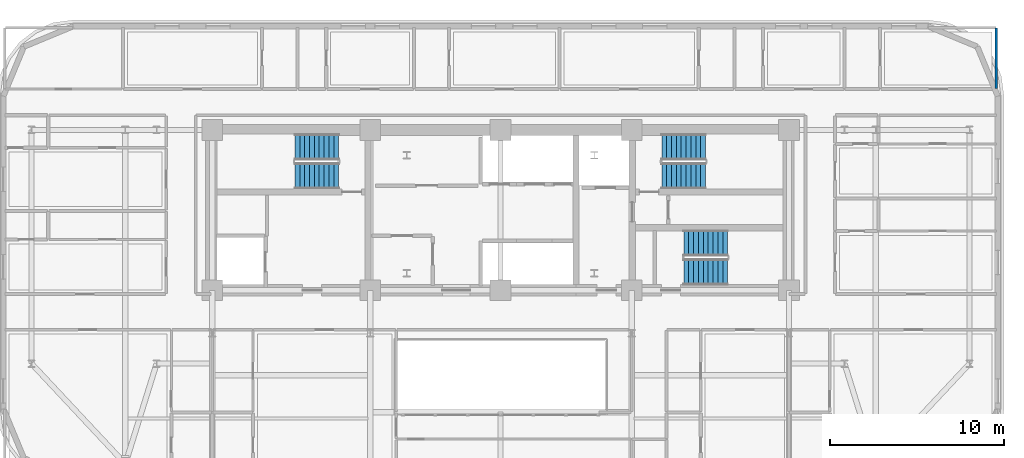
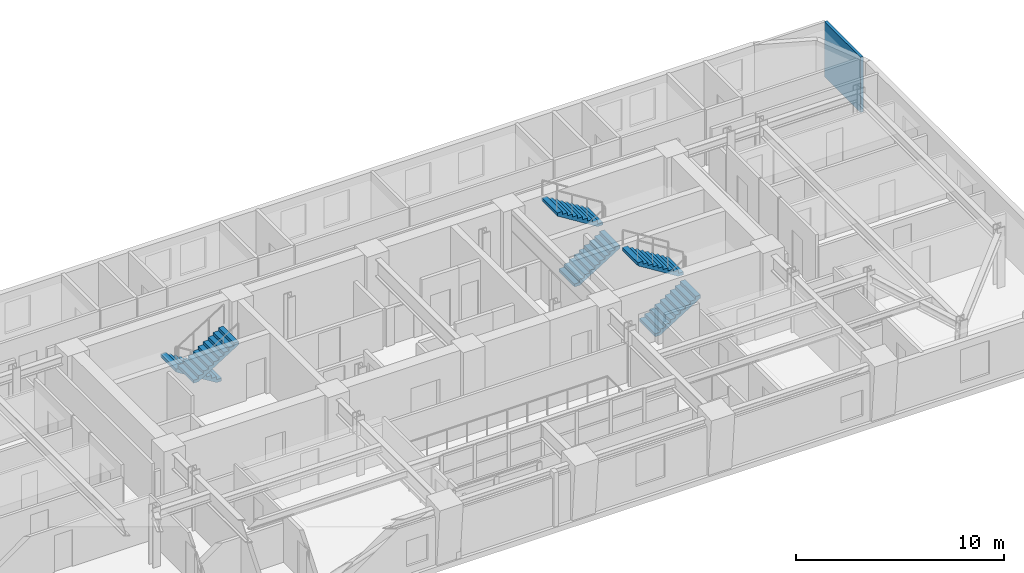
# One storey, part 13 of 16: 6 stair flights, 1 wall, 3 elements without a shape of their own.
"""IFC4 building model written with IfcOpenShell, lengths in metres."""

from ifc_helpers import new_model, si_unit, direction, frame, frame_2d, origin, place, context, subcontext, project, spatial, polyline, rectangle, outline, extrude, material, layer, layer_set, type_object, element, aggregate, save


model = new_model("IFC4")

# Units and contexts
model_context = context("Model", 3, precision=1e-05, world=origin(), true_north=direction((0.0, 1.0)))
body_context = subcontext(model_context, "Body", "Model", "MODEL_VIEW")
ifc_project = project(units=[si_unit("LENGTHUNIT", "METRE"), si_unit("AREAUNIT", "SQUARE_METRE"), si_unit("VOLUMEUNIT", "CUBIC_METRE"), si_unit("PLANEANGLEUNIT", "RADIAN"), si_unit("MASSUNIT", "GRAM", prefix="KILO")], contexts=[model_context])

# Site, building, storey
site_placement = place(None, origin())
site = spatial("IfcSite", under=ifc_project, at=site_placement, CompositionType="ELEMENT")
building_placement = place(site_placement, origin())
building = spatial("IfcBuilding", under=site, at=building_placement, Name="Zarnavel Station Tower", CompositionType="ELEMENT")
storey_placement = place(building_placement, frame((0.0, 0.0, 97.800048828125)))
storey = spatial("IfcBuildingStorey", under=building, at=storey_placement, Name="L26", CompositionType="ELEMENT", Elevation=97.800048828125)

# Wall
ifc_material_1 = material(Name="Gypsum Twin-Stud Acoustic Fire Partition", Category="concrete")
ifc_layer_1 = layer(ifc_material_1, 0.159912109375)
ifc_layer_set_1 = layer_set([ifc_layer_1], Name="PT_DEMISE_160")
wall_type = type_object("IfcWallType", Name="PT_DEMISE_160", PredefinedType="PARTITIONING", material=ifc_layer_set_1)
wall_placement = place(storey_placement, frame((57.340087890625, 39.429931640625, 0.0), z_axis=(0.0, 0.0, 1.0), x_axis=(0.0, 1.0, 0.0)))
element("IfcWall", 1, at=wall_placement, inside=storey, type_object=wall_type, Name="L26 Enclosure Wall HN6R", PredefinedType="PARTITIONING", context=body_context, shape_type="SweptSolid", body=[
    extrude(rectangle(XDim=3.47998046875, YDim=0.159912109375, at=frame_2d((1.739990234375, 0.0))), origin(), (0.0, 0.0, 1.0), 3.239990234375),
])

# Stair, stair flights
ifc_material_2 = material(Name="Concrete C45/55", Category="concrete")
stair_type = type_object("IfcStairType", Name="ST_CORE_150", PredefinedType="HALF_TURN_STAIR", material=ifc_material_2)
stair_1_placement = place(storey_placement, origin())
stair_1 = element("IfcStair", 2, at=stair_1_placement, inside=storey, type_object=stair_type, Name="L26 Core Exit Stair ST1", PredefinedType="HALF_TURN_STAIR")
ifc_material_3 = material(Name="Concrete C45/55", Category="concrete")
ifc_layer_2 = layer(ifc_material_3, 0.179931640625)
ifc_layer_set_2 = layer_set([ifc_layer_2], Name="ST_CORE_150_FLT")
stair_flight_type = type_object("IfcStairFlightType", Name="ST_CORE_150_FLT", PredefinedType="STRAIGHT", material=ifc_layer_set_2)
stair_flight_1_placement = place(storey_placement, frame((19.47998046875, 36.070068359375, 0.0), z_axis=(0.0, 0.0, 1.0), x_axis=(-1.0, 0.0, 0.0)))
stair_flight_1 = element("IfcStairFlight", 3, at=stair_flight_1_placement, type_object=stair_flight_type, Name="ST1 flight 1", NumberOfRisers=10, NumberOfTreads=9, PredefinedType="STRAIGHT", RiserHeight=0.175, TreadLength=0.28, context=body_context, shape_type="SweptSolid", body=[
    extrude(outline(polyline([(0.0, 0.0), (0.0, 0.175048828125), (0.280029296875, 0.175048828125), (0.280029296875, 0.35009765625), (0.56005859375, 0.35009765625), (0.56005859375, 0.52490234375), (0.840087890625, 0.52490234375), (0.840087890625, 0.699951171875), (1.1201171875, 0.699951171875), (1.1201171875, 0.875), (1.39990234375, 0.875), (1.39990234375, 1.050048828125), (1.679931640625, 1.050048828125), (1.679931640625, 1.22509765625), (1.9599609375, 1.22509765625), (1.9599609375, 1.39990234375), (2.239990234375, 1.39990234375), (2.239990234375, 1.574951171875), (2.52001953125, 1.574951171875), (2.52001953125, 1.75), (2.52001953125, 1.398193359375), (0.28271484375, 0.0), (0.0, 0.0)])), frame((0.0, 0.75, 0.0), z_axis=(0.0, -1.0, 0.0), x_axis=(1.0, 0.0, 0.0)), (0.0, 0.0, 1.0), 1.5),
])
stair_flight_2_placement = place(storey_placement, frame((16.9599609375, 34.409912109375, 1.75), z_axis=(0.0, 0.0, 1.0), x_axis=(1.0, 0.0, 0.0)))
stair_flight_2 = element("IfcStairFlight", 4, at=stair_flight_2_placement, type_object=stair_flight_type, Name="ST1 flight 2", NumberOfRisers=10, NumberOfTreads=9, PredefinedType="STRAIGHT", RiserHeight=0.175, TreadLength=0.28, context=body_context, shape_type="SweptSolid", body=[
    extrude(outline(polyline([(0.0, 0.0), (0.0, 0.175048828125), (0.280029296875, 0.175048828125), (0.280029296875, 0.35009765625), (0.56005859375, 0.35009765625), (0.56005859375, 0.52490234375), (0.840087890625, 0.52490234375), (0.840087890625, 0.699951171875), (1.1201171875, 0.699951171875), (1.1201171875, 0.875), (1.39990234375, 0.875), (1.39990234375, 1.050048828125), (1.679931640625, 1.050048828125), (1.679931640625, 1.22509765625), (1.9599609375, 1.22509765625), (1.9599609375, 1.39990234375), (2.239990234375, 1.39990234375), (2.239990234375, 1.574951171875), (2.52001953125, 1.574951171875), (2.52001953125, 1.75), (2.52001953125, 1.398193359375), (0.28271484375, 0.0), (0.0, 0.0)])), frame((0.0, 0.75, 0.0), z_axis=(0.0, -1.0, 0.0), x_axis=(1.0, 0.0, 0.0)), (0.0, 0.0, 1.0), 1.5),
])
aggregate(stair_1, [stair_flight_1, stair_flight_2])

stair_2_placement = place(storey_placement, origin())
stair_2 = element("IfcStair", 5, at=stair_2_placement, inside=storey, type_object=stair_type, Name="L26 Core Exit Stair ST2", PredefinedType="HALF_TURN_STAIR")
stair_flight_3_placement = place(storey_placement, frame((38.080078125, 34.409912109375, 0.0), z_axis=(0.0, 0.0, 1.0), x_axis=(1.0, 0.0, 0.0)))
stair_flight_3 = element("IfcStairFlight", 6, at=stair_flight_3_placement, type_object=stair_flight_type, Name="ST2 flight 1", NumberOfRisers=10, NumberOfTreads=9, PredefinedType="STRAIGHT", RiserHeight=0.175, TreadLength=0.28, context=body_context, shape_type="SweptSolid", body=[
    extrude(outline(polyline([(0.0, 0.0), (0.0, 0.175048828125), (0.280029296875, 0.175048828125), (0.280029296875, 0.35009765625), (0.56005859375, 0.35009765625), (0.56005859375, 0.52490234375), (0.840087890625, 0.52490234375), (0.840087890625, 0.699951171875), (1.1201171875, 0.699951171875), (1.1201171875, 0.875), (1.39990234375, 0.875), (1.39990234375, 1.050048828125), (1.679931640625, 1.050048828125), (1.679931640625, 1.22509765625), (1.9599609375, 1.22509765625), (1.9599609375, 1.39990234375), (2.239990234375, 1.39990234375), (2.239990234375, 1.574951171875), (2.52001953125, 1.574951171875), (2.52001953125, 1.75), (2.52001953125, 1.398193359375), (0.28271484375, 0.0), (0.0, 0.0)])), frame((0.0, 0.75, 0.0), z_axis=(0.0, -1.0, 0.0), x_axis=(1.0, 0.0, 0.0)), (0.0, 0.0, 1.0), 1.5),
])
stair_flight_4_placement = place(storey_placement, frame((40.60009765625, 36.070068359375, 1.75), z_axis=(0.0, 0.0, 1.0), x_axis=(-1.0, 0.0, 0.0)))
stair_flight_4 = element("IfcStairFlight", 7, at=stair_flight_4_placement, type_object=stair_flight_type, Name="ST2 flight 2", NumberOfRisers=10, NumberOfTreads=9, PredefinedType="STRAIGHT", RiserHeight=0.175, TreadLength=0.28, context=body_context, shape_type="SweptSolid", body=[
    extrude(outline(polyline([(0.0, 0.0), (0.0, 0.175048828125), (0.280029296875, 0.175048828125), (0.280029296875, 0.35009765625), (0.56005859375, 0.35009765625), (0.56005859375, 0.52490234375), (0.840087890625, 0.52490234375), (0.840087890625, 0.699951171875), (1.1201171875, 0.699951171875), (1.1201171875, 0.875), (1.39990234375, 0.875), (1.39990234375, 1.050048828125), (1.679931640625, 1.050048828125), (1.679931640625, 1.22509765625), (1.9599609375, 1.22509765625), (1.9599609375, 1.39990234375), (2.239990234375, 1.39990234375), (2.239990234375, 1.574951171875), (2.52001953125, 1.574951171875), (2.52001953125, 1.75), (2.52001953125, 1.398193359375), (0.28271484375, 0.0), (0.0, 0.0)])), frame((0.0, 0.75, 0.0), z_axis=(0.0, -1.0, 0.0), x_axis=(1.0, 0.0, 0.0)), (0.0, 0.0, 1.0), 1.5),
])
aggregate(stair_2, [stair_flight_3, stair_flight_4])

stair_3_placement = place(storey_placement, origin())
stair_3 = element("IfcStair", 8, at=stair_3_placement, inside=storey, type_object=stair_type, Name="L26 Core Exit Stair ST3", PredefinedType="HALF_TURN_STAIR")
stair_flight_5_placement = place(storey_placement, frame((39.35009765625, 28.8701171875, 0.0), z_axis=(0.0, 0.0, 1.0), x_axis=(1.0, 0.0, 0.0)))
stair_flight_5 = element("IfcStairFlight", 9, at=stair_flight_5_placement, type_object=stair_flight_type, Name="ST3 flight 1", NumberOfRisers=10, NumberOfTreads=9, PredefinedType="STRAIGHT", RiserHeight=0.175, TreadLength=0.28, context=body_context, shape_type="SweptSolid", body=[
    extrude(outline(polyline([(0.0, 0.0), (0.0, 0.175048828125), (0.280029296875, 0.175048828125), (0.280029296875, 0.35009765625), (0.56005859375, 0.35009765625), (0.56005859375, 0.52490234375), (0.840087890625, 0.52490234375), (0.840087890625, 0.699951171875), (1.1201171875, 0.699951171875), (1.1201171875, 0.875), (1.39990234375, 0.875), (1.39990234375, 1.050048828125), (1.679931640625, 1.050048828125), (1.679931640625, 1.22509765625), (1.9599609375, 1.22509765625), (1.9599609375, 1.39990234375), (2.239990234375, 1.39990234375), (2.239990234375, 1.574951171875), (2.52001953125, 1.574951171875), (2.52001953125, 1.75), (2.52001953125, 1.398193359375), (0.28271484375, 0.0), (0.0, 0.0)])), frame((0.0, 0.75, 0.0), z_axis=(0.0, -1.0, 0.0), x_axis=(1.0, 0.0, 0.0)), (0.0, 0.0, 1.0), 1.5),
])
stair_flight_6_placement = place(storey_placement, frame((41.8701171875, 30.530029296875, 1.75), z_axis=(0.0, 0.0, 1.0), x_axis=(-1.0, 0.0, 0.0)))
stair_flight_6 = element("IfcStairFlight", 10, at=stair_flight_6_placement, type_object=stair_flight_type, Name="ST3 flight 2", NumberOfRisers=10, NumberOfTreads=9, PredefinedType="STRAIGHT", RiserHeight=0.175, TreadLength=0.28, context=body_context, shape_type="SweptSolid", body=[
    extrude(outline(polyline([(0.0, 0.0), (0.0, 0.175048828125), (0.280029296875, 0.175048828125), (0.280029296875, 0.35009765625), (0.56005859375, 0.35009765625), (0.56005859375, 0.52490234375), (0.840087890625, 0.52490234375), (0.840087890625, 0.699951171875), (1.1201171875, 0.699951171875), (1.1201171875, 0.875), (1.39990234375, 0.875), (1.39990234375, 1.050048828125), (1.679931640625, 1.050048828125), (1.679931640625, 1.22509765625), (1.9599609375, 1.22509765625), (1.9599609375, 1.39990234375), (2.239990234375, 1.39990234375), (2.239990234375, 1.574951171875), (2.52001953125, 1.574951171875), (2.52001953125, 1.75), (2.52001953125, 1.398193359375), (0.28271484375, 0.0), (0.0, 0.0)])), frame((0.0, 0.75, 0.0), z_axis=(0.0, -1.0, 0.0), x_axis=(1.0, 0.0, 0.0)), (0.0, 0.0, 1.0), 1.5),
])
aggregate(stair_3, [stair_flight_5, stair_flight_6])

save(model, "model.ifc")
